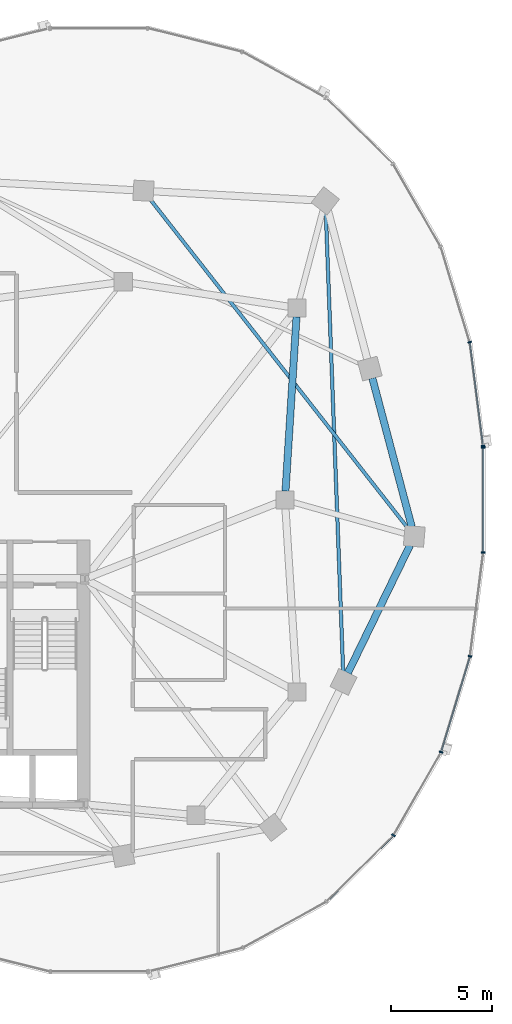
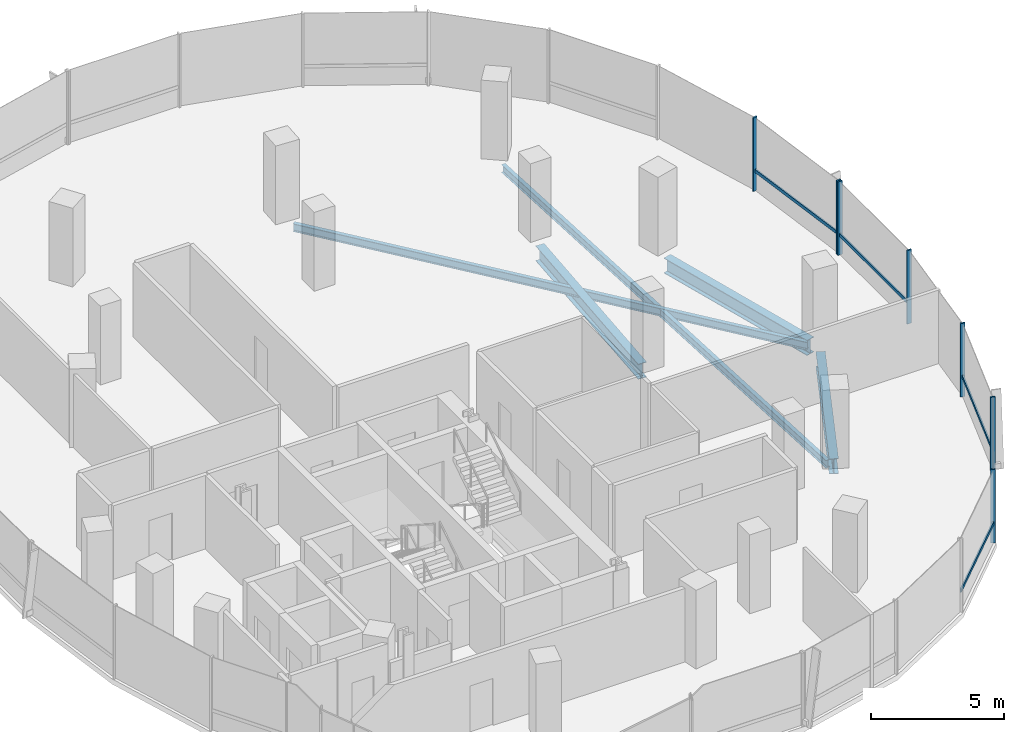
# One storey, part 8 of 22: 11 members, 5 beams, 2 elements without a shape of their own.
"""IFC4 building model written with IfcOpenShell, lengths in metres."""

from ifc_helpers import new_model, si_unit, direction, frame, origin, origin_2d, place, context, subcontext, project, spatial, rectangle, i_section, extrude, material, material_profile, profile_set, type_object, element, aggregate, save


model = new_model("IFC4")

# Units and contexts
model_context = context("Model", 3, precision=1e-05, world=origin(), true_north=direction((0.0, 1.0)))
body_context = subcontext(model_context, "Body", "Model", "MODEL_VIEW")
ifc_project = project(units=[si_unit("LENGTHUNIT", "METRE"), si_unit("AREAUNIT", "SQUARE_METRE"), si_unit("VOLUMEUNIT", "CUBIC_METRE"), si_unit("PLANEANGLEUNIT", "RADIAN"), si_unit("MASSUNIT", "GRAM", prefix="KILO"), si_unit("THERMODYNAMICTEMPERATUREUNIT", "KELVIN"), si_unit("POWERUNIT", "WATT")], contexts=[model_context])

# Site, building, storey
site_placement = place(None, origin())
site = spatial("IfcSite", under=ifc_project, at=site_placement, CompositionType="ELEMENT")
building_placement = place(site_placement, origin())
building = spatial("IfcBuilding", under=site, at=building_placement, Name="Cundina Bronze Exchange", CompositionType="ELEMENT")
storey_placement = place(building_placement, frame((0.0, 0.0, 144.0)))
storey = spatial("IfcBuildingStorey", under=building, at=storey_placement, Name="L37", CompositionType="ELEMENT", Elevation=144.0)

# Beams
ifc_material_1 = material(Name="Steel ASTM A992 Grade 50", Category="steel")
ifc_material_profile_1 = material_profile(ifc_material_1, i_section(OverallWidth=0.172119140625, OverallDepth=0.35791015625, WebThickness=0.0078125, FlangeThickness=0.01318359375, FilletRadius=0.010009765625, at=origin_2d()), Name="W14X38", Category="steel")
ifc_profile_set_1 = profile_set([ifc_material_profile_1], Name="Steel ASTM A992 Grade 50")
beam_type_1 = type_object("IfcBeamType", Name="BM-JST-W14", PredefinedType="JOIST", material=ifc_profile_set_1)
beam_1_placement = place(storey_placement, frame((44.08154296875, -8.51220703125, -0.4189453125), z_axis=(-0.037784933381, 0.999285894431, 0.0), x_axis=(-0.999285894431, -0.037784933381, 0.0)))
element("IfcBeam", 1, at=beam_1_placement, inside=storey, type_object=beam_type_1, Name="L37 Leg E Lobe Floor Joist 07-10", PredefinedType="JOIST", context=body_context, shape_type="SweptSolid", body=[
    extrude(i_section(OverallWidth=0.172119140625, OverallDepth=0.35791015625, WebThickness=0.0078125, FlangeThickness=0.01318359375, FilletRadius=0.010009765625, at=origin_2d()), origin(), (0.0, 0.0, 1.0), 22.8408203125),
])
beam_2_placement = place(storey_placement, frame((47.299072265625, -1.416015625, -0.4189453125), z_axis=(-0.616801484103, 0.787118751656, 0.0), x_axis=(-0.787118751656, -0.616801484103, 0.0)))
element("IfcBeam", 2, at=beam_2_placement, inside=storey, type_object=beam_type_1, Name="L37 Leg E Lobe Floor Joist 08-11", PredefinedType="JOIST", context=body_context, shape_type="SweptSolid", body=[
    extrude(i_section(OverallWidth=0.172119140625, OverallDepth=0.35791015625, WebThickness=0.0078125, FlangeThickness=0.01318359375, FilletRadius=0.010009765625, at=origin_2d()), origin(), (0.0, 0.0, 1.0), 20.7490234375),
])
ifc_material_profile_2 = material_profile(ifc_material_1, i_section(OverallWidth=0.35498046875, OverallDepth=0.695068359375, WebThickness=0.015380859375, FlangeThickness=0.02490234375, FilletRadius=0.01806640625, at=origin_2d()), Name="W27X146", Category="steel")
ifc_profile_set_2 = profile_set([ifc_material_profile_2], Name="Steel ASTM A992 Grade 50")
beam_type_2 = type_object("IfcBeamType", Name="BM-RING-W27", PredefinedType="USERDEFINED", material=ifc_profile_set_2)
beam_3_placement = place(storey_placement, frame((41.2275390625, 0.43701171875, -0.58740234375), z_axis=(0.063046519736, 0.998010589297, 0.0), x_axis=(-0.998010589297, 0.063046519736, 0.0)))
element("IfcBeam", 3, at=beam_3_placement, inside=storey, type_object=beam_type_2, Name="L37 E Inner Structural Ring Girder 04", ObjectType="GIRDER", PredefinedType="USERDEFINED", context=body_context, shape_type="SweptSolid", body=[
    extrude(i_section(OverallWidth=0.35498046875, OverallDepth=0.695068359375, WebThickness=0.015380859375, FlangeThickness=0.02490234375, FilletRadius=0.01806640625, at=origin_2d()), origin(), (0.0, 0.0, 1.0), 8.64306640625),
])
beam_4_placement = place(storey_placement, frame((44.3134765625, -8.56103515625, -0.58740234375), z_axis=(0.437196998825, 0.89936576776, 0.0), x_axis=(-0.89936576776, 0.437196998825, 0.0)))
element("IfcBeam", 4, at=beam_4_placement, inside=storey, type_object=beam_type_2, Name="L37 E Perimeter Ring Girder 07", ObjectType="GIRDER", PredefinedType="USERDEFINED", context=body_context, shape_type="SweptSolid", body=[
    extrude(i_section(OverallWidth=0.35498046875, OverallDepth=0.695068359375, WebThickness=0.015380859375, FlangeThickness=0.02490234375, FilletRadius=0.01806640625, at=origin_2d()), origin(), (0.0, 0.0, 1.0), 7.029541015625),
])
beam_5_placement = place(storey_placement, frame((47.47509765625, -1.328369140625, -0.58740234375), z_axis=(-0.256240814108, 0.966612975904, 0.0), x_axis=(-0.966612975904, -0.256240814108, 0.0)))
element("IfcBeam", 5, at=beam_5_placement, inside=storey, type_object=beam_type_2, Name="L37 E Perimeter Ring Girder 08", ObjectType="GIRDER", PredefinedType="USERDEFINED", context=body_context, shape_type="SweptSolid", body=[
    extrude(i_section(OverallWidth=0.35498046875, OverallDepth=0.695068359375, WebThickness=0.015380859375, FlangeThickness=0.02490234375, FilletRadius=0.01806640625, at=origin_2d()), origin(), (0.0, 0.0, 1.0), 7.61083984375),
])

# Curtain wall, members
ifc_material_2 = material(Name="Anodised Bronze Aluminium 6063-T6", Category="aluminium")
curtain_wall_type = type_object("IfcCurtainWallType", Name="CWS-WST-PIN", PredefinedType="NOTDEFINED", material=ifc_material_2)
curtain_wall_1_placement = place(storey_placement, origin())
curtain_wall_1 = element("IfcCurtainWall", 6, at=curtain_wall_1_placement, inside=storey, type_object=curtain_wall_type, Name="L37 CW-04 Curtain Wall Run CWR-L37-E1", PredefinedType="NOTDEFINED")
ifc_material_profile_3 = material_profile(ifc_material_2, rectangle(XDim=0.070068359375, YDim=0.18994140625, at=origin_2d()), Name="AL70X190", Category="aluminium")
ifc_profile_set_3 = profile_set([ifc_material_profile_3], Name="Anodised Bronze Aluminium 6063-T6")
member_type_1 = type_object("IfcMemberType", Name="CWM-MUL-190", PredefinedType="MULLION", material=ifc_profile_set_3)
member_1_placement = place(storey_placement, frame((51.001708984375, 2.676025390625, 0.0), z_axis=(0.0, 0.0, 1.0), x_axis=(-0.126545236492, 0.991960837494, 0.0)))
member_1 = element("IfcMember", 7, at=member_1_placement, type_object=member_type_1, Name="CW-04 Mullion 1", PredefinedType="MULLION", context=body_context, shape_type="SweptSolid", body=[
    extrude(rectangle(XDim=0.070068359375, YDim=0.18994140625, at=origin_2d()), origin(), (0.0, 0.0, 1.0), 3.360107421875),
])
member_2_placement = place(storey_placement, frame((50.3408203125, 7.80859375, 0.0), z_axis=(0.0, 0.0, 1.0), x_axis=(-0.290034140915, 0.957016299288, 0.0)))
member_2 = element("IfcMember", 8, at=member_2_placement, type_object=member_type_1, Name="CW-04 Mullion 2", PredefinedType="MULLION", context=body_context, shape_type="SweptSolid", body=[
    extrude(rectangle(XDim=0.070068359375, YDim=0.18994140625, at=origin_2d()), origin(), (0.0, 0.0, 1.0), 3.360107421875),
])

curtain_wall_2_placement = place(storey_placement, origin())
curtain_wall_2 = element("IfcCurtainWall", 9, at=curtain_wall_2_placement, inside=storey, type_object=curtain_wall_type, Name="L37 CW-04 Curtain Wall Run CWR-L37-E4", PredefinedType="NOTDEFINED")
member_3_placement = place(storey_placement, frame((46.57080078125, -16.588134765625, 0.0), z_axis=(0.0, 0.0, 1.0), x_axis=(0.498487739754, 0.866896748936, 0.0)))
member_3 = element("IfcMember", 10, at=member_3_placement, type_object=member_type_1, Name="CW-04 Mullion 4", PredefinedType="MULLION", context=body_context, shape_type="SweptSolid", body=[
    extrude(rectangle(XDim=0.070068359375, YDim=0.18994140625, at=origin_2d()), origin(), (0.0, 0.0, 1.0), 3.360107421875),
])
member_4_placement = place(storey_placement, frame((48.92626953125, -12.4755859375, 0.0), z_axis=(0.0, 0.0, 1.0), x_axis=(0.290034140915, 0.957016299288, 0.0)))
member_4 = element("IfcMember", 11, at=member_4_placement, type_object=member_type_1, Name="CW-04 Mullion 5", PredefinedType="MULLION", context=body_context, shape_type="SweptSolid", body=[
    extrude(rectangle(XDim=0.070068359375, YDim=0.18994140625, at=origin_2d()), origin(), (0.0, 0.0, 1.0), 3.360107421875),
])
member_5_placement = place(storey_placement, frame((50.357177734375, -7.731689453125, 0.0), z_axis=(0.0, 0.0, 1.0), x_axis=(0.126545236492, 0.991960837494, 0.0)))
member_5 = element("IfcMember", 12, at=member_5_placement, type_object=member_type_1, Name="CW-04 Mullion 6", PredefinedType="MULLION", context=body_context, shape_type="SweptSolid", body=[
    extrude(rectangle(XDim=0.070068359375, YDim=0.18994140625, at=origin_2d()), origin(), (0.0, 0.0, 1.0), 3.360107421875),
])
member_6_placement = place(storey_placement, frame((51.007080078125, -2.593017578125, 0.0), z_axis=(0.0, 0.0, 1.0), x_axis=(0.0, 1.0, 0.0)))
member_6 = element("IfcMember", 13, at=member_6_placement, type_object=member_type_1, Name="CW-04 Mullion 7", PredefinedType="MULLION", context=body_context, shape_type="SweptSolid", body=[
    extrude(rectangle(XDim=0.070068359375, YDim=0.18994140625, at=origin_2d()), origin(), (0.0, 0.0, 1.0), 3.360107421875),
])
member_7_placement = place(storey_placement, frame((51.007080078125, 2.593017578125, 0.0), z_axis=(0.0, 0.0, 1.0), x_axis=(0.0, 1.0, 0.0)))
member_7 = element("IfcMember", 14, at=member_7_placement, type_object=member_type_1, Name="CW-04 End Mullion", PredefinedType="MULLION", context=body_context, shape_type="SweptSolid", body=[
    extrude(rectangle(XDim=0.070068359375, YDim=0.18994140625, at=origin_2d()), origin(), (0.0, 0.0, 1.0), 3.360107421875),
])

# Member
ifc_material_profile_4 = material_profile(ifc_material_2, rectangle(XDim=0.06494140625, YDim=0.14990234375, at=origin_2d()), Name="AL65X150", Category="aluminium")
ifc_profile_set_4 = profile_set([ifc_material_profile_4], Name="Anodised Bronze Aluminium 6063-T6")
member_type_2 = type_object("IfcMemberType", Name="CWM-TRN-150", PredefinedType="USERDEFINED", material=ifc_profile_set_4)
member_8_placement = place(storey_placement, frame((50.996826171875, 2.71435546875, 0.919921875), z_axis=(-0.12646340362, 0.991971273548, 0.0), x_axis=(-0.991971273548, -0.12646340362, 0.0)))
member_8 = element("IfcMember", 15, at=member_8_placement, type_object=member_type_2, Name="CW-04 Spandrel Transom 1", ObjectType="TRANSOM", PredefinedType="USERDEFINED", context=body_context, shape_type="SweptSolid", body=[
    extrude(rectangle(XDim=0.06494140625, YDim=0.14990234375, at=origin_2d()), origin(), (0.0, 0.0, 1.0), 5.0966796875),
])

aggregate(curtain_wall_1, [member_1, member_8, member_2])

member_9_placement = place(storey_placement, frame((43.28662109375, -19.839599609375, 0.919921875), z_axis=(0.712005023839, 0.702174370102, 0.0), x_axis=(-0.702174370102, 0.712005023839, 0.0)))
member_9 = element("IfcMember", 16, at=member_9_placement, type_object=member_type_2, Name="CW-04 Spandrel Transom 3", ObjectType="TRANSOM", PredefinedType="USERDEFINED", context=body_context, shape_type="SweptSolid", body=[
    extrude(rectangle(XDim=0.06494140625, YDim=0.14990234375, at=origin_2d()), origin(), (0.0, 0.0, 1.0), 4.594482421875),
])

member_10_placement = place(storey_placement, frame((48.937255859375, -12.43896484375, 0.919921875), z_axis=(0.290051855969, 0.957010930371, 0.0), x_axis=(-0.957010930371, 0.290051855969, 0.0)))
member_10 = element("IfcMember", 17, at=member_10_placement, type_object=member_type_2, Name="CW-04 Spandrel Transom 5", ObjectType="TRANSOM", PredefinedType="USERDEFINED", context=body_context, shape_type="SweptSolid", body=[
    extrude(rectangle(XDim=0.06494140625, YDim=0.14990234375, at=origin_2d()), origin(), (0.0, 0.0, 1.0), 4.876953125),
])

member_11_placement = place(storey_placement, frame((51.007080078125, -2.554443359375, 0.919921875), z_axis=(0.0, 1.0, 0.0), x_axis=(-1.0, 0.0, 0.0)))
member_11 = element("IfcMember", 18, at=member_11_placement, type_object=member_type_2, Name="CW-04 Spandrel Transom 7", ObjectType="TRANSOM", PredefinedType="USERDEFINED", context=body_context, shape_type="SweptSolid", body=[
    extrude(rectangle(XDim=0.06494140625, YDim=0.14990234375, at=origin_2d()), origin(), (0.0, 0.0, 1.0), 5.10888671875),
])

aggregate(curtain_wall_2, [member_9, member_3, member_4, member_10, member_5, member_6, member_7, member_11])

save(model, "model.ifc")
